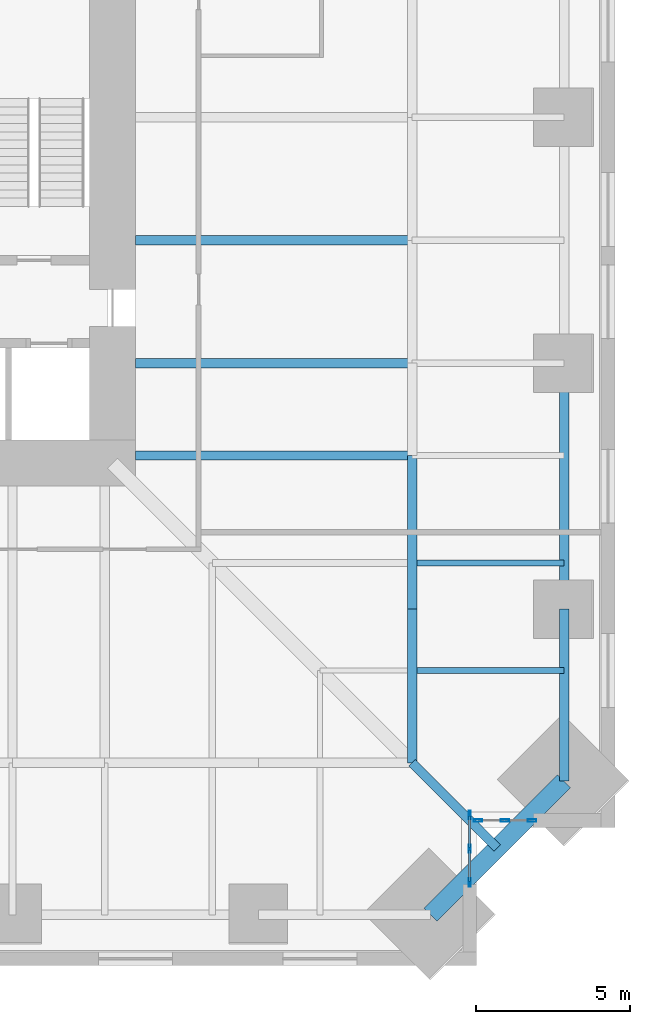
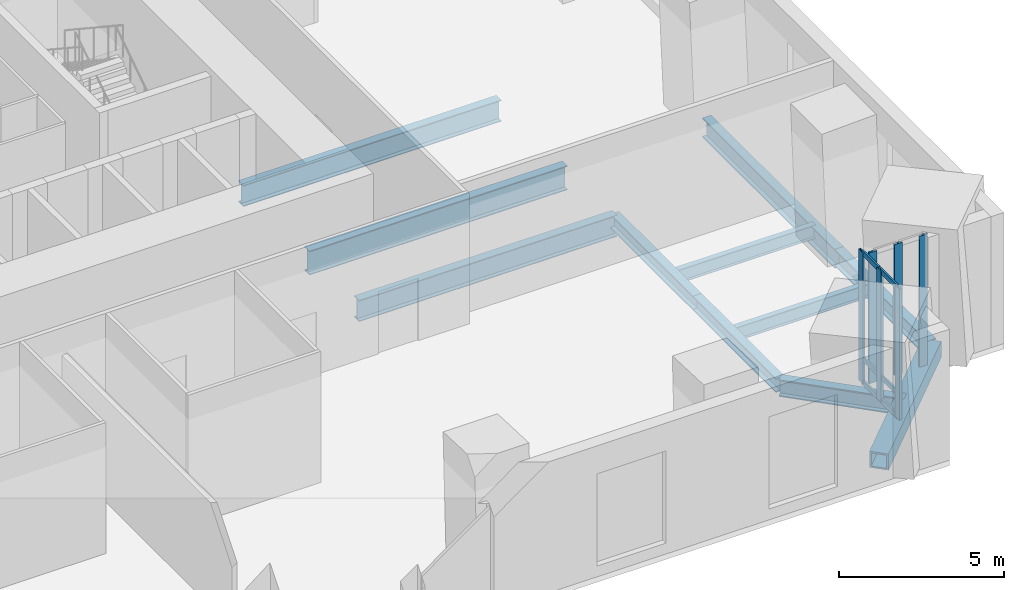
# One storey, part 4 of 18: 12 members, 11 beams, 2 elements without a shape of their own.
"""IFC4 building model written with IfcOpenShell, lengths in metres."""

import ifcopenshell
import ifcopenshell.guid

model = None  # the IFC model being written
_history = None  # IfcOwnerHistory: only IFC2X3 demands one
_inside = {}  # id of a spatial element -> (the spatial element, [elements in it])
_under = {}  # id of a project, library or spatial element -> (it, [spatial elements below it])
_declared = {}  # id of a project -> (the project, [libraries it declares])
_typed = {}  # id of a type object -> (the type object, [elements of that type])
_made_of = {}  # id of a material, layer set ... -> (it, [elements and type objects made of it])


def new_model(schema):
    """Start an empty IFC model of exactly this schema.

    Asked for "IFC4X3", IfcOpenShell would pick the latest addendum, in which some entities
    have other attributes; the version numbers below select the first issue.
    IFC2X3 requires an IfcOwnerHistory on every rooted entity: one is made here for all.
    """
    global model, _history
    if schema == "IFC4X3":
        model = ifcopenshell.file(schema_version=(4, 3, 0, 0))
    else:
        model = ifcopenshell.file(schema=schema)
    _inside.clear()
    _under.clear()
    _declared.clear()
    _typed.clear()
    _made_of.clear()
    _history = None
    if model.schema == "IFC2X3":
        org = make("IfcOrganization", Name="unknown")
        user = make(
            "IfcPersonAndOrganization",
            ThePerson=make("IfcPerson", FamilyName="unknown"),
            TheOrganization=org,
        )
        app = make(
            "IfcApplication",
            ApplicationDeveloper=org,
            Version="unknown",
            ApplicationFullName="unknown",
            ApplicationIdentifier="unknown",
        )
        _history = make(
            "IfcOwnerHistory",
            OwningUser=user,
            OwningApplication=app,
            ChangeAction="ADDED",
            CreationDate=0,
        )
    return model


def make(cls, **values):
    """One entity of the class cls with the attributes given. An attribute that is None is left unset."""
    return model.create_entity(
        cls, **{name: value for name, value in values.items() if value is not None}
    )


def rooted(cls, **values):
    """An entity with a GlobalId (a new one), such as an element, a storey or a relation."""
    return make(cls, GlobalId=ifcopenshell.guid.new(), OwnerHistory=_history, **values)


def si_unit(unit_type, name, prefix=None):
    """IfcSIUnit, for example si_unit("LENGTHUNIT", "METRE", prefix="MILLI")."""
    return make("IfcSIUnit", UnitType=unit_type, Prefix=prefix, Name=name)


def assignment(units):
    """IfcUnitAssignment: the units of a project."""
    return None if units is None else make("IfcUnitAssignment", Units=units)


def point(xyz):
    """IfcCartesianPoint."""
    return None if xyz is None else make("IfcCartesianPoint", Coordinates=xyz)


def direction(xyz):
    """IfcDirection."""
    return None if xyz is None else make("IfcDirection", DirectionRatios=xyz)


def frame(location, z_axis=None, x_axis=None):
    """IfcAxis2Placement3D, a coordinate frame: its origin and axes. An axis left out is left unset."""
    return make(
        "IfcAxis2Placement3D",
        Location=point(location),
        Axis=direction(z_axis),
        RefDirection=direction(x_axis),
    )


def frame_2d(location, x_axis=None):
    """IfcAxis2Placement2D, a coordinate frame in the plane: its origin and x axis."""
    return make(
        "IfcAxis2Placement2D", Location=point(location), RefDirection=direction(x_axis)
    )


def origin():
    """The frame at (0, 0, 0) with its axes left unset."""
    return frame((0.0, 0.0, 0.0))


def origin_2d():
    """The frame at (0, 0) in the plane with its x axis left unset."""
    return frame_2d((0.0, 0.0))


def place(relative_to, where):
    """IfcLocalPlacement: puts the frame where relative to a parent placement (None: the world)."""
    return make(
        "IfcLocalPlacement", PlacementRelTo=relative_to, RelativePlacement=where
    )


def context(
    kind, dimensions, precision=None, world=None, true_north=None, identifier=None
):
    """IfcGeometricRepresentationContext, for example the 3D "Model" context."""
    return make(
        "IfcGeometricRepresentationContext",
        ContextIdentifier=identifier,
        ContextType=kind,
        CoordinateSpaceDimension=dimensions,
        Precision=precision,
        WorldCoordinateSystem=world,
        TrueNorth=true_north,
    )


def subcontext(parent, identifier, kind, view, scale=None):
    """IfcGeometricRepresentationSubContext, for example "Body" below "Model"."""
    return make(
        "IfcGeometricRepresentationSubContext",
        ContextIdentifier=identifier,
        ContextType=kind,
        ParentContext=parent,
        TargetScale=scale,
        TargetView=view,
    )


def project(units=None, contexts=None):
    """IfcProject with its units and contexts."""
    return rooted(
        "IfcProject",
        Name="project",
        RepresentationContexts=contexts,
        UnitsInContext=assignment(units),
    )


def spatial(cls, under=None, at=None, **own):
    """A site, building, storey or space (cls), placed at a placement, below another one or the project."""
    s = rooted(cls, ObjectPlacement=at, **own)
    if under is not None:
        _under.setdefault(under.id(), (under, []))[1].append(s)
    return s


def profile(cls, at=None, kind="AREA", **sizes):
    """A parametric profile (cls). Its sizes go by their IFC names, for example OverallWidth=200.0."""
    return make(cls, ProfileType=kind, Position=at, **sizes)


def hollow_rectangle(**sizes):
    """IfcRectangleHollowProfileDef."""
    return profile("IfcRectangleHollowProfileDef", **sizes)


def i_section(**sizes):
    """IfcIShapeProfileDef."""
    return profile("IfcIShapeProfileDef", **sizes)


def extrude(swept, where, along, depth):
    """IfcExtrudedAreaSolid: the profile swept, set in the frame where, extruded along a direction by depth."""
    return make(
        "IfcExtrudedAreaSolid",
        SweptArea=swept,
        Position=where,
        ExtrudedDirection=direction(along),
        Depth=depth,
    )


def shape(context_of_items, identifier, shape_type, items):
    """IfcShapeRepresentation: the items that make up one representation, for example the "Body"."""
    return make(
        "IfcShapeRepresentation",
        ContextOfItems=context_of_items,
        RepresentationIdentifier=identifier,
        RepresentationType=shape_type,
        Items=items,
    )


def material(Name=None, Category=None):
    """IfcMaterial."""
    return make("IfcMaterial", Name=Name, Category=Category)


def material_profile(
    of_material, cross_section, Name=None, Category=None, Priority=None
):
    """IfcMaterialProfile: a cross section and its material."""
    return make(
        "IfcMaterialProfile",
        Name=Name,
        Material=of_material,
        Profile=cross_section,
        Priority=Priority,
        Category=Category,
    )


def profile_set(profiles, Name=None, composite=None):
    """IfcMaterialProfileSet."""
    return make(
        "IfcMaterialProfileSet",
        Name=Name,
        MaterialProfiles=profiles,
        CompositeProfile=composite,
    )


def made_of(thing, what):
    """Note that an element or type object is made of a material, layer set ...; save() writes the relation."""
    if what is not None:
        _made_of.setdefault(what.id(), (what, []))[1].append(thing)
    return thing


def type_object(cls, material=None, **own):
    """A type object (cls), such as IfcWallType, which elements share."""
    return made_of(rooted(cls, **own), material)


def element(
    cls,
    number,
    at=None,
    inside=None,
    cuts=None,
    type_object=None,
    material=None,
    context=None,
    identifier="Body",
    shape_type=None,
    held_by="IfcProductDefinitionShape",
    body=None,
    shapes=None,
    **own,
):
    """One element of the class cls, such as IfcWall. Its Tag is "e" and its number.

    at: its placement. inside: the storey or other place that contains it. cuts: it is an
    opening in that element (IfcRelVoidsElement). A single representation is given by context,
    identifier, shape_type and body (its items); several are given by shapes. held_by: the class
    of the entity that holds the representations. save() writes the other relations.
    """
    e = rooted(cls, Tag="e%d" % number, ObjectPlacement=at, **own)
    if body is not None:
        shapes = [shape(context, identifier, shape_type, body)]
    if shapes is not None:
        e.Representation = make(held_by, Representations=shapes)
    if inside is not None:
        _inside.setdefault(inside.id(), (inside, []))[1].append(e)
    if cuts is not None:
        rooted(
            "IfcRelVoidsElement", RelatingBuildingElement=cuts, RelatedOpeningElement=e
        )
    if type_object is not None:
        _typed.setdefault(type_object.id(), (type_object, []))[1].append(e)
    return made_of(e, material)


def aggregate(whole, parts):
    """IfcRelAggregates: a whole, such as a stair, and the parts it consists of."""
    return rooted("IfcRelAggregates", RelatingObject=whole, RelatedObjects=parts)


def save(model, path):
    """Write the relations noted so far, then the file.

    IfcRelAggregates (storeys below a building ...), IfcRelContainedInSpatialStructure (elements
    in a storey), IfcRelDefinesByType, IfcRelAssociatesMaterial and IfcRelDeclares: one each for
    every whole, place, type object, material and project.
    """
    for whole, parts in _under.values():
        aggregate(whole, parts)
    for where, things in _inside.values():
        rooted(
            "IfcRelContainedInSpatialStructure",
            RelatedElements=things,
            RelatingStructure=where,
        )
    for kind, things in _typed.values():
        rooted("IfcRelDefinesByType", RelatedObjects=things, RelatingType=kind)
    for what, things in _made_of.values():
        rooted("IfcRelAssociatesMaterial", RelatedObjects=things, RelatingMaterial=what)
    for by, libraries in _declared.values():
        rooted("IfcRelDeclares", RelatingContext=by, RelatedDefinitions=libraries)
    model.write(path)


model = new_model("IFC4")

# Units and contexts
model_context = context("Model", 3, precision=1e-05, world=origin(), true_north=direction((0.0, 1.0)))
body_context = subcontext(model_context, "Body", "Model", "MODEL_VIEW")
ifc_project = project(units=[si_unit("LENGTHUNIT", "METRE"), si_unit("AREAUNIT", "SQUARE_METRE"), si_unit("VOLUMEUNIT", "CUBIC_METRE"), si_unit("PLANEANGLEUNIT", "RADIAN"), si_unit("MASSUNIT", "GRAM", prefix="KILO")], contexts=[model_context])

# Site, building, storey
site_placement = place(None, origin())
site = spatial("IfcSite", under=ifc_project, at=site_placement, CompositionType="ELEMENT")
building_placement = place(site_placement, origin())
building = spatial("IfcBuilding", under=site, at=building_placement, Name="Peilmerk Tower", CompositionType="ELEMENT")
storey_placement = place(building_placement, frame((0.0, 0.0, 122.800048828125)))
storey = spatial("IfcBuildingStorey", under=building, at=storey_placement, Name="L24", CompositionType="ELEMENT", Elevation=122.800048828125)

# Beams
ifc_material_1 = material(Name="Steel S460", Category="steel")
ifc_material_profile_1 = material_profile(ifc_material_1, hollow_rectangle(XDim=0.60009765625, YDim=0.60009765625, WallThickness=0.06005859375, at=origin_2d()), Name="BOX 600x600x60")
ifc_profile_set_1 = profile_set([ifc_material_profile_1], Name="Steel S460")
beam_type_1 = type_object("IfcBeamType", Name="B20 BOX 600x600x60 notch beam", PredefinedType="SPANDREL", material=ifc_profile_set_1)
beam_1_placement = place(storey_placement, frame((25.945068359375, -21.59521484375, -0.5), z_axis=(-0.707106781187, -0.707106781187, 0.0), x_axis=(0.707106781187, -0.707106781187, 0.0)))
element("IfcBeam", 1, at=beam_1_placement, inside=storey, type_object=beam_type_1, Name="Notch beam L24", PredefinedType="SPANDREL", context=body_context, shape_type="SweptSolid", body=[
    extrude(hollow_rectangle(XDim=0.60009765625, YDim=0.60009765625, WallThickness=0.06005859375, at=origin_2d()), origin(), (0.0, 0.0, 1.0), 6.151611328125),
])
ifc_material_2 = material(Name="Steel S355", Category="steel")
ifc_material_profile_2 = material_profile(ifc_material_2, i_section(OverallWidth=0.300048828125, OverallDepth=0.7900390625, WebThickness=0.014892578125, FlangeThickness=0.028076171875, at=origin_2d()), Name="HEA 800")
ifc_profile_set_2 = profile_set([ifc_material_profile_2], Name="Steel S355")
beam_type_2 = type_object("IfcBeamType", Name="B3 HEA 800 floor beam", PredefinedType="BEAM", material=ifc_profile_set_2)
for number, where, z_axis, x_axis, name in (
    (2, (12.0, -11.0, -0.594970703125), (1.0, 0.0, 0.0), (0.0, 1.0, 0.0), "Floor beam L24"),
    (3, (12.0, -4.0, -0.594970703125), (1.0, 0.0, 0.0), (0.0, 1.0, 0.0), "Floor beam L24"),
):
    element("IfcBeam", number, at=place(storey_placement, frame(where, z_axis=z_axis, x_axis=x_axis)), inside=storey, type_object=beam_type_2, Name=name, PredefinedType="BEAM", context=body_context, shape_type="SweptSolid", body=[
        extrude(i_section(OverallWidth=0.300048828125, OverallDepth=0.7900390625, WebThickness=0.014892578125, FlangeThickness=0.028076171875, at=origin_2d()), origin(), (0.0, 0.0, 1.0), 9.0),
    ])
ifc_material_profile_3 = material_profile(ifc_material_2, i_section(OverallWidth=0.303955078125, OverallDepth=0.716064453125, WebThickness=0.02099609375, FlangeThickness=0.0400390625, at=origin_2d()), Name="HEM 700")
ifc_profile_set_3 = profile_set([ifc_material_profile_3], Name="Steel S355")
beam_type_3 = type_object("IfcBeamType", Name="B30 HEM 700 edge beam", PredefinedType="SPANDREL", material=ifc_profile_set_3)
beam_2_placement = place(storey_placement, frame((25.945068359375, -16.0, -0.55810546875), z_axis=(0.0, 1.0, 0.0), x_axis=(-1.0, 0.0, 0.0)))
element("IfcBeam", 4, at=beam_2_placement, inside=storey, type_object=beam_type_3, Name="Edge beam L24", PredefinedType="SPANDREL", context=body_context, shape_type="SweptSolid", body=[
    extrude(i_section(OverallWidth=0.303955078125, OverallDepth=0.716064453125, WebThickness=0.02099609375, FlangeThickness=0.0400390625, at=origin_2d()), origin(), (0.0, 0.0, 1.0), 8.0),
])
ifc_material_profile_4 = material_profile(ifc_material_2, i_section(OverallWidth=0.304931640625, OverallDepth=0.6201171875, WebThickness=0.02099609375, FlangeThickness=0.0400390625, at=origin_2d()), Name="HEM 600")
ifc_profile_set_4 = profile_set([ifc_material_profile_4], Name="Steel S355")
beam_type_4 = type_object("IfcBeamType", Name="B31 HEM 600 edge beam", PredefinedType="SPANDREL", material=ifc_profile_set_4)
beam_3_placement = place(storey_placement, frame((25.945068359375, -21.59521484375, -0.510009765625), z_axis=(0.0, 1.0, 0.0), x_axis=(-1.0, 0.0, 0.0)))
element("IfcBeam", 5, at=beam_3_placement, inside=storey, type_object=beam_type_4, Name="Edge beam L24", PredefinedType="SPANDREL", context=body_context, shape_type="SweptSolid", body=[
    extrude(i_section(OverallWidth=0.304931640625, OverallDepth=0.6201171875, WebThickness=0.02099609375, FlangeThickness=0.0400390625, at=origin_2d()), origin(), (0.0, 0.0, 1.0), 5.59521484375),
])
ifc_material_profile_5 = material_profile(ifc_material_2, i_section(OverallWidth=0.199951171875, OverallDepth=0.5, WebThickness=0.01025390625, FlangeThickness=0.01611328125, at=origin_2d()), Name="IPE 500")
ifc_profile_set_5 = profile_set([ifc_material_profile_5], Name="Steel S355")
beam_type_5 = type_object("IfcBeamType", Name="B32 IPE 500 floor beam", PredefinedType="BEAM", material=ifc_profile_set_5)
for number, where, z_axis, x_axis, name in (
    (6, (21.153076171875, -14.5, -0.449951171875), (1.0, 0.0, 0.0), (0.0, 1.0, 0.0), "Floor beam L24"),
    (7, (21.153076171875, -18.0, -0.449951171875), (1.0, 0.0, 0.0), (0.0, 1.0, 0.0), "Floor beam L24"),
):
    element("IfcBeam", number, at=place(storey_placement, frame(where, z_axis=z_axis, x_axis=x_axis)), inside=storey, type_object=beam_type_5, Name=name, PredefinedType="BEAM", context=body_context, shape_type="SweptSolid", body=[
        extrude(i_section(OverallWidth=0.199951171875, OverallDepth=0.5, WebThickness=0.01025390625, FlangeThickness=0.01611328125, at=origin_2d()), origin(), (0.0, 0.0, 1.0), 4.7919921875),
    ])
ifc_material_profile_6 = material_profile(ifc_material_2, i_section(OverallWidth=0.300048828125, OverallDepth=0.889892578125, WebThickness=0.01611328125, FlangeThickness=0.030029296875, at=origin_2d()), Name="HEA 900")
ifc_profile_set_6 = profile_set([ifc_material_profile_6], Name="Steel S355")
beam_type_6 = type_object("IfcBeamType", Name="B4 HEA 900 floor beam", PredefinedType="BEAM", material=ifc_profile_set_6)
beam_4_placement = place(storey_placement, frame((12.0, -8.0, -0.64501953125), z_axis=(1.0, 0.0, 0.0), x_axis=(0.0, 1.0, 0.0)))
element("IfcBeam", 8, at=beam_4_placement, inside=storey, type_object=beam_type_6, Name="Floor girder L24", PredefinedType="BEAM", context=body_context, shape_type="SweptSolid", body=[
    extrude(i_section(OverallWidth=0.300048828125, OverallDepth=0.889892578125, WebThickness=0.01611328125, FlangeThickness=0.030029296875, at=origin_2d()), origin(), (0.0, 0.0, 1.0), 9.0),
])
ifc_material_profile_7 = material_profile(ifc_material_2, i_section(OverallWidth=0.304931640625, OverallDepth=0.6201171875, WebThickness=0.02099609375, FlangeThickness=0.0400390625, at=origin_2d()), Name="HEM 600")
ifc_profile_set_7 = profile_set([ifc_material_profile_7], Name="Steel S355")
beam_type_7 = type_object("IfcBeamType", Name="B6 HEM 600 ring girder", PredefinedType="BEAM", material=ifc_profile_set_7)
beam_5_placement = place(storey_placement, frame((21.0, -21.0, -0.510009765625), z_axis=(0.707106781187, -0.707106781187, 0.0), x_axis=(0.707106781187, 0.707106781187, 0.0)))
element("IfcBeam", 9, at=beam_5_placement, inside=storey, type_object=beam_type_7, Name="Corner girder L24", PredefinedType="BEAM", context=body_context, shape_type="SweptSolid", body=[
    extrude(i_section(OverallWidth=0.304931640625, OverallDepth=0.6201171875, WebThickness=0.02099609375, FlangeThickness=0.0400390625, at=origin_2d()), origin(), (0.0, 0.0, 1.0), 3.917724609375),
])
ifc_material_profile_8 = material_profile(ifc_material_2, i_section(OverallWidth=0.305908203125, OverallDepth=0.52392578125, WebThickness=0.02099609375, FlangeThickness=0.0400390625, at=origin_2d()), Name="HEM 500")
ifc_profile_set_8 = profile_set([ifc_material_profile_8], Name="Steel S355")
beam_type_8 = type_object("IfcBeamType", Name="B7 HEM 500 ring girder", PredefinedType="BEAM", material=ifc_profile_set_8)
for number, where, z_axis, x_axis, name in (
    (10, (21.0, -21.0, -0.462158203125), (0.0, 1.0, 0.0), (-1.0, 0.0, 0.0), "Ring girder L24"),
    (11, (21.0, -16.0, -0.462158203125), (0.0, 1.0, 0.0), (-1.0, 0.0, 0.0), "Ring girder L24"),
):
    element("IfcBeam", number, at=place(storey_placement, frame(where, z_axis=z_axis, x_axis=x_axis)), inside=storey, type_object=beam_type_8, Name=name, PredefinedType="BEAM", context=body_context, shape_type="SweptSolid", body=[
        extrude(i_section(OverallWidth=0.305908203125, OverallDepth=0.52392578125, WebThickness=0.02099609375, FlangeThickness=0.0400390625, at=origin_2d()), origin(), (0.0, 0.0, 1.0), 5.0),
    ])

# Curtain wall, members
ifc_material_3 = material(Name="Aluminium stick curtain wall", Category="aluminium")
curtain_wall_type = type_object("IfcCurtainWallType", Name="CW2 stick curtain wall, 2250 module", PredefinedType="NOTDEFINED", material=ifc_material_3)
curtain_wall_1_placement = place(storey_placement, origin())
curtain_wall_1 = element("IfcCurtainWall", 12, at=curtain_wall_1_placement, inside=storey, type_object=curtain_wall_type, Name="Curtain wall CW2 SEA L24", PredefinedType="NOTDEFINED")
ifc_material_4 = material(Name="Aluminium EN AW-6063 T6", Category="aluminium")
ifc_material_profile_9 = material_profile(ifc_material_4, hollow_rectangle(XDim=0.080078125, YDim=0.27490234375, WallThickness=0.0048828125, at=origin_2d()), Name="AL 275x80x5")
ifc_profile_set_9 = profile_set([ifc_material_profile_9], Name="Aluminium EN AW-6063 T6")
member_type_1 = type_object("IfcMemberType", Name="CW2-M AL 275x80x5 mullion", PredefinedType="MULLION", material=ifc_profile_set_9)
member_1_placement = place(storey_placement, frame((22.875, -22.68994140625, 0.0), z_axis=(0.0, 0.0, 1.0), x_axis=(1.0, 0.0, 0.0)))
member_1 = element("IfcMember", 13, at=member_1_placement, type_object=member_type_1, Name="CW2 mullion 1", PredefinedType="MULLION", context=body_context, shape_type="SweptSolid", body=[
    extrude(hollow_rectangle(XDim=0.080078125, YDim=0.27490234375, WallThickness=0.0048828125, at=origin_2d()), origin(), (0.0, 0.0, 1.0), 4.829833984375),
])
member_2_placement = place(storey_placement, frame((22.875, -23.79443359375, 0.0), z_axis=(0.0, 0.0, 1.0), x_axis=(1.0, 0.0, 0.0)))
member_2 = element("IfcMember", 14, at=member_2_placement, type_object=member_type_1, Name="CW2 mullion 2", PredefinedType="MULLION", context=body_context, shape_type="SweptSolid", body=[
    extrude(hollow_rectangle(XDim=0.080078125, YDim=0.27490234375, WallThickness=0.0048828125, at=origin_2d()), origin(), (0.0, 0.0, 1.0), 4.829833984375),
])
member_3_placement = place(storey_placement, frame((22.875, -24.898681640625, 0.0), z_axis=(0.0, 0.0, 1.0), x_axis=(1.0, 0.0, 0.0)))
member_3 = element("IfcMember", 15, at=member_3_placement, type_object=member_type_1, Name="CW2 mullion 3", PredefinedType="MULLION", context=body_context, shape_type="SweptSolid", body=[
    extrude(hollow_rectangle(XDim=0.080078125, YDim=0.27490234375, WallThickness=0.0048828125, at=origin_2d()), origin(), (0.0, 0.0, 1.0), 4.829833984375),
])

curtain_wall_2_placement = place(storey_placement, origin())
curtain_wall_2 = element("IfcCurtainWall", 16, at=curtain_wall_2_placement, inside=storey, type_object=curtain_wall_type, Name="Curtain wall CW2 SEB L24", PredefinedType="NOTDEFINED")
member_4_placement = place(storey_placement, frame((23.139892578125, -22.875, 0.0), z_axis=(0.0, 0.0, 1.0), x_axis=(0.0, 1.0, 0.0)))
member_4 = element("IfcMember", 17, at=member_4_placement, type_object=member_type_1, Name="CW2 mullion 1", PredefinedType="MULLION", context=body_context, shape_type="SweptSolid", body=[
    extrude(hollow_rectangle(XDim=0.080078125, YDim=0.27490234375, WallThickness=0.0048828125, at=origin_2d()), origin(), (0.0, 0.0, 1.0), 4.829833984375),
])
member_5_placement = place(storey_placement, frame((24.019287109375, -22.875, 0.0), z_axis=(0.0, 0.0, 1.0), x_axis=(0.0, 1.0, 0.0)))
member_5 = element("IfcMember", 18, at=member_5_placement, type_object=member_type_1, Name="CW2 mullion 2", PredefinedType="MULLION", context=body_context, shape_type="SweptSolid", body=[
    extrude(hollow_rectangle(XDim=0.080078125, YDim=0.27490234375, WallThickness=0.0048828125, at=origin_2d()), origin(), (0.0, 0.0, 1.0), 4.829833984375),
])
member_6_placement = place(storey_placement, frame((24.898681640625, -22.875, 0.0), z_axis=(0.0, 0.0, 1.0), x_axis=(0.0, 1.0, 0.0)))
member_6 = element("IfcMember", 19, at=member_6_placement, type_object=member_type_1, Name="CW2 mullion 3", PredefinedType="MULLION", context=body_context, shape_type="SweptSolid", body=[
    extrude(hollow_rectangle(XDim=0.080078125, YDim=0.27490234375, WallThickness=0.0048828125, at=origin_2d()), origin(), (0.0, 0.0, 1.0), 4.829833984375),
])
aggregate(curtain_wall_2, [member_4, member_5, member_6])

# Member
ifc_material_profile_10 = material_profile(ifc_material_4, hollow_rectangle(XDim=0.06494140625, YDim=0.179931640625, WallThickness=0.0029296875, at=origin_2d()), Name="AL 180x65x3")
ifc_profile_set_10 = profile_set([ifc_material_profile_10], Name="Aluminium EN AW-6063 T6")
member_type_2 = type_object("IfcMemberType", Name="CW2-T AL 180x65x3 transom", PredefinedType="USERDEFINED", material=ifc_profile_set_10)
member_7_placement = place(storey_placement, frame((22.875, -22.72998046875, 0.032470703125), z_axis=(0.0, -1.0, 0.0), x_axis=(1.0, 0.0, 0.0)))
member_7 = element("IfcMember", 20, at=member_7_placement, type_object=member_type_2, Name="CW2 transom 1.1", ObjectType="TRANSOM", PredefinedType="USERDEFINED", context=body_context, shape_type="SweptSolid", body=[
    extrude(hollow_rectangle(XDim=0.06494140625, YDim=0.179931640625, WallThickness=0.0029296875, at=origin_2d()), origin(), (0.0, 0.0, 1.0), 1.0244140625),
])

member_8_placement = place(storey_placement, frame((22.875, -22.72998046875, 0.89990234375), z_axis=(0.0, -1.0, 0.0), x_axis=(1.0, 0.0, 0.0)))
member_8 = element("IfcMember", 21, at=member_8_placement, type_object=member_type_2, Name="CW2 transom 1.2", ObjectType="TRANSOM", PredefinedType="USERDEFINED", context=body_context, shape_type="SweptSolid", body=[
    extrude(hollow_rectangle(XDim=0.06494140625, YDim=0.179931640625, WallThickness=0.0029296875, at=origin_2d()), origin(), (0.0, 0.0, 1.0), 1.0244140625),
])

member_9_placement = place(storey_placement, frame((22.875, -22.72998046875, 4.79736328125), z_axis=(0.0, -1.0, 0.0), x_axis=(1.0, 0.0, 0.0)))
member_9 = element("IfcMember", 22, at=member_9_placement, type_object=member_type_2, Name="CW2 transom 1.3", ObjectType="TRANSOM", PredefinedType="USERDEFINED", context=body_context, shape_type="SweptSolid", body=[
    extrude(hollow_rectangle(XDim=0.06494140625, YDim=0.179931640625, WallThickness=0.0029296875, at=origin_2d()), origin(), (0.0, 0.0, 1.0), 1.0244140625),
])

member_10_placement = place(storey_placement, frame((22.875, -23.834228515625, 0.032470703125), z_axis=(0.0, -1.0, 0.0), x_axis=(1.0, 0.0, 0.0)))
member_10 = element("IfcMember", 23, at=member_10_placement, type_object=member_type_2, Name="CW2 transom 2.1", ObjectType="TRANSOM", PredefinedType="USERDEFINED", context=body_context, shape_type="SweptSolid", body=[
    extrude(hollow_rectangle(XDim=0.06494140625, YDim=0.179931640625, WallThickness=0.0029296875, at=origin_2d()), origin(), (0.0, 0.0, 1.0), 1.0244140625),
])

member_11_placement = place(storey_placement, frame((22.875, -23.834228515625, 0.89990234375), z_axis=(0.0, -1.0, 0.0), x_axis=(1.0, 0.0, 0.0)))
member_11 = element("IfcMember", 24, at=member_11_placement, type_object=member_type_2, Name="CW2 transom 2.2", ObjectType="TRANSOM", PredefinedType="USERDEFINED", context=body_context, shape_type="SweptSolid", body=[
    extrude(hollow_rectangle(XDim=0.06494140625, YDim=0.179931640625, WallThickness=0.0029296875, at=origin_2d()), origin(), (0.0, 0.0, 1.0), 1.0244140625),
])

member_12_placement = place(storey_placement, frame((22.875, -23.834228515625, 4.79736328125), z_axis=(0.0, -1.0, 0.0), x_axis=(1.0, 0.0, 0.0)))
member_12 = element("IfcMember", 25, at=member_12_placement, type_object=member_type_2, Name="CW2 transom 2.3", ObjectType="TRANSOM", PredefinedType="USERDEFINED", context=body_context, shape_type="SweptSolid", body=[
    extrude(hollow_rectangle(XDim=0.06494140625, YDim=0.179931640625, WallThickness=0.0029296875, at=origin_2d()), origin(), (0.0, 0.0, 1.0), 1.0244140625),
])

aggregate(curtain_wall_1, [member_1, member_2, member_3, member_7, member_8, member_9, member_10, member_11, member_12])

save(model, "model.ifc")
